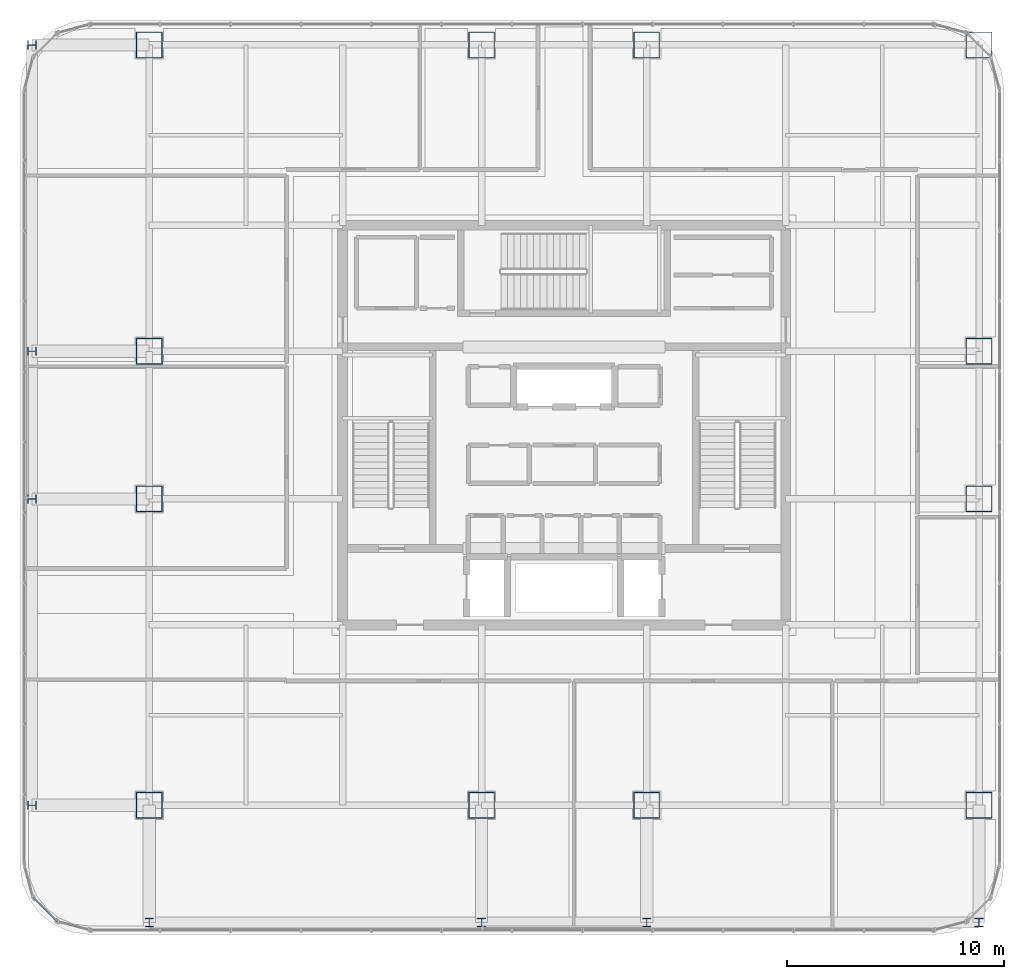
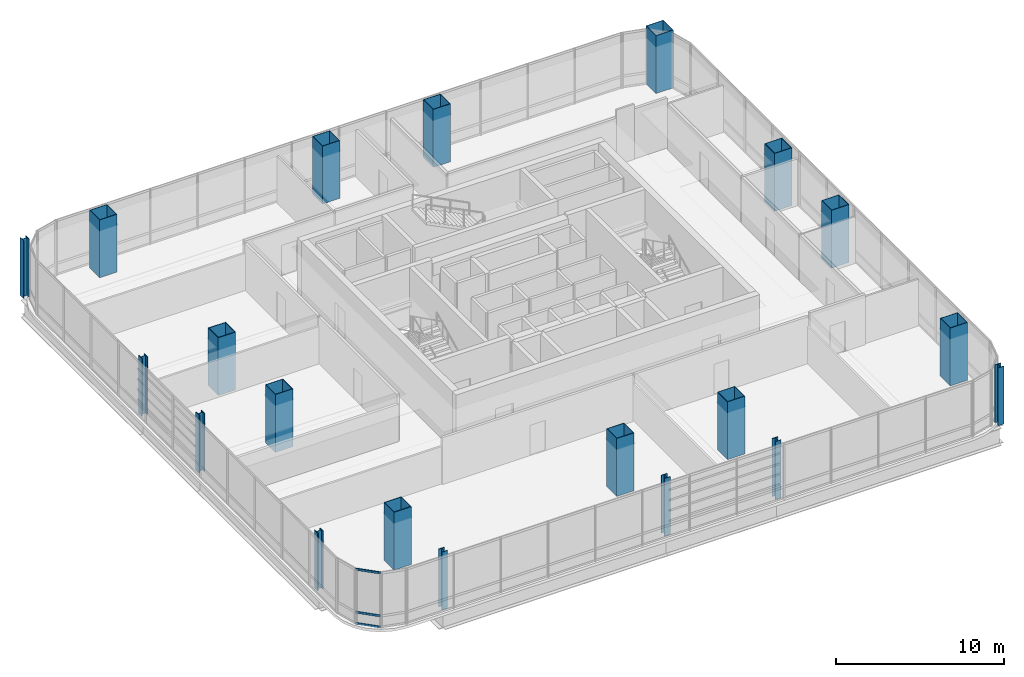
# One storey, part 1 of 43: 20 columns, 3 members, 1 element without a shape of its own.
"""IFC4 building model written with IfcOpenShell, lengths in metres."""

from ifc_helpers import new_model, si_unit, direction, frame, origin, origin_2d, place, context, subcontext, project, spatial, hollow_rectangle, i_section, extrude, material, material_profile, profile_set, type_object, element, aggregate, save


model = new_model("IFC4")

# Units and contexts
model_context = context("Model", 3, precision=1e-05, world=origin(), true_north=direction((0.0, 1.0)))
body_context = subcontext(model_context, "Body", "Model", "MODEL_VIEW")
ifc_project = project(units=[si_unit("LENGTHUNIT", "METRE"), si_unit("AREAUNIT", "SQUARE_METRE"), si_unit("VOLUMEUNIT", "CUBIC_METRE"), si_unit("PLANEANGLEUNIT", "RADIAN"), si_unit("MASSUNIT", "GRAM", prefix="KILO")], contexts=[model_context])

# Site, building, storey
site_placement = place(None, origin())
site = spatial("IfcSite", under=ifc_project, at=site_placement, CompositionType="ELEMENT")
building_placement = place(site_placement, origin())
building = spatial("IfcBuilding", under=site, at=building_placement, Name="Punatoya Terracotta Tower", CompositionType="ELEMENT")
storey_placement = place(building_placement, frame((0.0, 0.0, 321.60009765625)))
storey = spatial("IfcBuildingStorey", under=building, at=storey_placement, Name="L76", CompositionType="ELEMENT", Elevation=321.60009765625)

# Columns
ifc_material_1 = material(Name="Steel S460", Category="steel")
ifc_material_profile_1 = material_profile(ifc_material_1, i_section(OverallWidth=0.406005859375, OverallDepth=0.416015625, WebThickness=0.029052734375, FlangeThickness=0.048095703125, FilletRadius=0.01806640625, at=origin_2d()))
ifc_profile_set_1 = profile_set([ifc_material_profile_1], Name="Steel S460")
column_type_1 = type_object("IfcColumnType", Name="COL-EX-M3", PredefinedType="COLUMN", material=ifc_profile_set_1)
for number, where, z_axis, x_axis, name in (
    (1, (-19.10009765625, -22.89990234375, 0.0), (0.0, 0.0, 1.0), (1.0, 0.0, 0.0), "L76 Exoskeleton Perimeter Column S1"),
    (2, (-3.800048828125, -22.89990234375, 0.0), (0.0, 0.0, 1.0), (1.0, 0.0, 0.0), "L76 Exoskeleton Perimeter Column S2"),
    (3, (3.800048828125, -22.89990234375, 0.0), (0.0, 0.0, 1.0), (1.0, 0.0, 0.0), "L76 Exoskeleton Perimeter Column S3"),
    (4, (19.10009765625, -22.89990234375, 0.0), (0.0, 0.0, 1.0), (1.0, 0.0, 0.0), "L76 Exoskeleton Perimeter Column S4"),
    (5, (-24.5, -17.5, 0.0), (0.0, 0.0, 1.0), (0.0, 1.0, 0.0), "L76 Exoskeleton Perimeter Column W1"),
    (6, (-24.5, -3.39990234375, 0.0), (0.0, 0.0, 1.0), (0.0, 1.0, 0.0), "L76 Exoskeleton Perimeter Column W2"),
    (7, (-24.5, 3.39990234375, 0.0), (0.0, 0.0, 1.0), (0.0, 1.0, 0.0), "L76 Exoskeleton Perimeter Column W3"),
    (8, (-24.5, 17.5, 0.0), (0.0, 0.0, 1.0), (0.0, 1.0, 0.0), "L76 Exoskeleton Perimeter Column W4"),
):
    element("IfcColumn", number, at=place(storey_placement, frame(where, z_axis=z_axis, x_axis=x_axis)), inside=storey, type_object=column_type_1, Name=name, PredefinedType="COLUMN", context=body_context, shape_type="SweptSolid", body=[
        extrude(i_section(OverallWidth=0.406005859375, OverallDepth=0.416015625, WebThickness=0.029052734375, FlangeThickness=0.048095703125, FilletRadius=0.01806640625, at=origin_2d()), origin(), (0.0, 0.0, 1.0), 4.197998046875),
    ])
ifc_material_profile_2 = material_profile(ifc_material_1, hollow_rectangle(XDim=1.199951171875, YDim=1.199951171875, WallThickness=0.034912109375, at=origin_2d()))
ifc_profile_set_2 = profile_set([ifc_material_profile_2], Name="Steel S460")
column_type_2 = type_object("IfcColumnType", Name="COL-MC-Z4", PredefinedType="COLUMN", material=ifc_profile_set_2)
for number, where, z_axis, x_axis, name in (
    (9, (-19.10009765625, -17.5, 0.0), (0.0, 0.0, 1.0), (1.0, 0.0, 0.0), "L76 Composite Mega-Column MC-01 (3-B)"),
    (10, (-3.800048828125, -17.5, 0.0), (0.0, 0.0, 1.0), (1.0, 0.0, 0.0), "L76 Composite Mega-Column MC-02 (5-B)"),
    (11, (3.800048828125, -17.5, 0.0), (0.0, 0.0, 1.0), (1.0, 0.0, 0.0), "L76 Composite Mega-Column MC-03 (7-B)"),
    (12, (19.10009765625, -17.5, 0.0), (0.0, 0.0, 1.0), (1.0, 0.0, 0.0), "L76 Composite Mega-Column MC-04 (9-B)"),
    (13, (19.10009765625, -3.39990234375, 0.0), (0.0, 0.0, 1.0), (1.0, 0.0, 0.0), "L76 Composite Mega-Column MC-05 (9-D)"),
    (14, (19.10009765625, 3.39990234375, 0.0), (0.0, 0.0, 1.0), (1.0, 0.0, 0.0), "L76 Composite Mega-Column MC-06 (9-E)"),
    (15, (19.10009765625, 17.5, 0.0), (0.0, 0.0, 1.0), (1.0, 0.0, 0.0), "L76 Composite Mega-Column MC-07 (9-G)"),
    (16, (3.800048828125, 17.5, 0.0), (0.0, 0.0, 1.0), (1.0, 0.0, 0.0), "L76 Composite Mega-Column MC-08 (7-G)"),
    (17, (-3.800048828125, 17.5, 0.0), (0.0, 0.0, 1.0), (1.0, 0.0, 0.0), "L76 Composite Mega-Column MC-09 (5-G)"),
    (18, (-19.10009765625, 17.5, 0.0), (0.0, 0.0, 1.0), (1.0, 0.0, 0.0), "L76 Composite Mega-Column MC-10 (3-G)"),
    (19, (-19.10009765625, 3.39990234375, 0.0), (0.0, 0.0, 1.0), (1.0, 0.0, 0.0), "L76 Composite Mega-Column MC-11 (3-E)"),
    (20, (-19.10009765625, -3.39990234375, 0.0), (0.0, 0.0, 1.0), (1.0, 0.0, 0.0), "L76 Composite Mega-Column MC-12 (3-D)"),
):
    element("IfcColumn", number, at=place(storey_placement, frame(where, z_axis=z_axis, x_axis=x_axis)), inside=storey, type_object=column_type_2, Name=name, PredefinedType="COLUMN", context=body_context, shape_type="SweptSolid", body=[
        extrude(hollow_rectangle(XDim=1.199951171875, YDim=1.199951171875, WallThickness=0.034912109375, at=origin_2d()), origin(), (0.0, 0.0, 1.0), 4.199951171875),
    ])

# Curtain wall, members
ifc_material_2 = material(Name="Aluminium 6063-T6 + Double Low-E Glass", Category="aluminium")
curtain_wall_type = type_object("IfcCurtainWallType", Name="CW-OBS", PredefinedType="NOTDEFINED", material=ifc_material_2)
curtain_wall_placement = place(storey_placement, origin())
curtain_wall = element("IfcCurtainWall", 21, at=curtain_wall_placement, inside=storey, type_object=curtain_wall_type, Name="L76 Curtain Wall CW-L76-CRN15", PredefinedType="NOTDEFINED")
ifc_material_3 = material(Name="Aluminium 6063-T6", Category="aluminium")
ifc_material_profile_3 = material_profile(ifc_material_3, hollow_rectangle(XDim=0.068115234375, YDim=0.14990234375, WallThickness=0.00390625, at=origin_2d()))
ifc_profile_set_3 = profile_set([ifc_material_profile_3], Name="Aluminium 6063-T6")
member_type = type_object("IfcMemberType", Name="CW-TRN-TYP", PredefinedType="USERDEFINED", material=ifc_profile_set_3)
member_1_placement = place(storey_placement, frame((-24.446533203125, -21.7490234375, 0.039794921875), z_axis=(0.707028130747, -0.707185422879, 0.0), x_axis=(0.707185422879, 0.707028130747, 0.0)))
member_1 = element("IfcMember", 22, at=member_1_placement, type_object=member_type, Name="CW-L76-CRN15 Transom 1", ObjectType="TRANSOM", PredefinedType="USERDEFINED", context=body_context, shape_type="SweptSolid", body=[
    extrude(hollow_rectangle(XDim=0.068115234375, YDim=0.14990234375, WallThickness=0.00390625, at=origin_2d()), origin(), (0.0, 0.0, 1.0), 1.55224609375),
])
member_2_placement = place(storey_placement, frame((-24.446533203125, -21.7490234375, 0.849853515625), z_axis=(0.707028130747, -0.707185422879, 0.0), x_axis=(0.707185422879, 0.707028130747, 0.0)))
member_2 = element("IfcMember", 23, at=member_2_placement, type_object=member_type, Name="CW-L76-CRN15 Transom 2", ObjectType="TRANSOM", PredefinedType="USERDEFINED", context=body_context, shape_type="SweptSolid", body=[
    extrude(hollow_rectangle(XDim=0.068115234375, YDim=0.14990234375, WallThickness=0.00390625, at=origin_2d()), origin(), (0.0, 0.0, 1.0), 1.55224609375),
])
member_3_placement = place(storey_placement, frame((-24.446533203125, -21.7490234375, 3.9599609375), z_axis=(0.707028130747, -0.707185422879, 0.0), x_axis=(0.707185422879, 0.707028130747, 0.0)))
member_3 = element("IfcMember", 24, at=member_3_placement, type_object=member_type, Name="CW-L76-CRN15 Transom 3", ObjectType="TRANSOM", PredefinedType="USERDEFINED", context=body_context, shape_type="SweptSolid", body=[
    extrude(hollow_rectangle(XDim=0.068115234375, YDim=0.14990234375, WallThickness=0.00390625, at=origin_2d()), origin(), (0.0, 0.0, 1.0), 1.55224609375),
])
aggregate(curtain_wall, [member_1, member_2, member_3])

save(model, "model.ifc")
